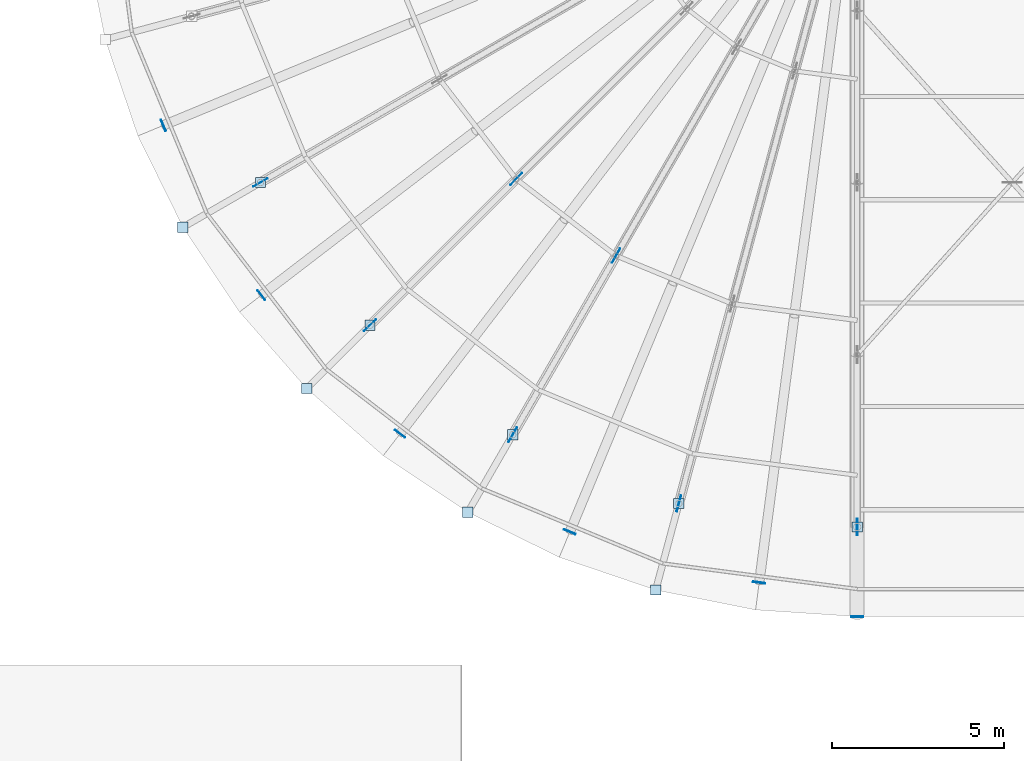
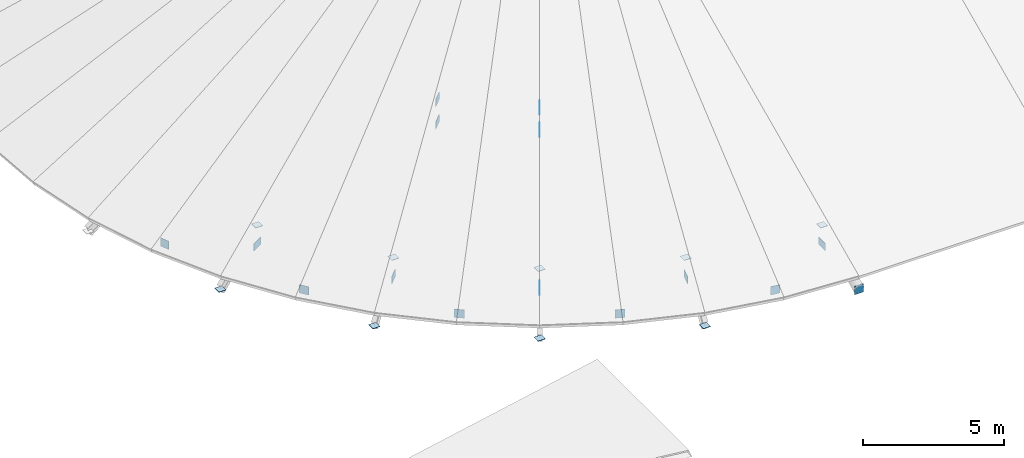
# One storey, part 85 of 107: 24 plates.
"""IFC4 building model written with IfcOpenShell, lengths in metres."""

from ifc_helpers import new_model, si_unit, derived_unit, direction, frame, origin, origin_2d, place, context, subcontext, project, spatial, rectangle, extrude, material, layer, layer_set, type_object, element, save


model = new_model("IFC4")

# Units and contexts
model_context = context("Model", 3, precision=1e-05, world=origin(), true_north=direction((0.0, 1.0)))
body_context = subcontext(model_context, "Body", "Model", "MODEL_VIEW")
ifc_project = project(units=[si_unit("LENGTHUNIT", "METRE"), si_unit("AREAUNIT", "SQUARE_METRE"), si_unit("VOLUMEUNIT", "CUBIC_METRE"), si_unit("PLANEANGLEUNIT", "RADIAN"), si_unit("MASSUNIT", "GRAM", prefix="KILO"), si_unit("THERMODYNAMICTEMPERATUREUNIT", "KELVIN"), si_unit("TIMEUNIT", "SECOND"), derived_unit("THERMALTRANSMITTANCEUNIT", [(si_unit("MASSUNIT", "GRAM", prefix="KILO"), 1), (si_unit("THERMODYNAMICTEMPERATUREUNIT", "KELVIN"), -1), (si_unit("TIMEUNIT", "SECOND"), -3)])], contexts=[model_context])

# Site, building, storey
site_placement = place(None, origin())
site = spatial("IfcSite", under=ifc_project, at=site_placement, CompositionType="ELEMENT")
building_placement = place(site_placement, origin())
building = spatial("IfcBuilding", under=site, at=building_placement, Name="Cambertide Market Hall", CompositionType="ELEMENT")
storey_placement = place(building_placement, frame((0.0, 0.0, 18.300048828125)))
storey = spatial("IfcBuildingStorey", under=building, at=storey_placement, Name="RF", CompositionType="ELEMENT", Elevation=18.300048828125)

# Plates
ifc_material_1 = material(Name="Steel S355", Category="steel")
ifc_layer_1 = layer(ifc_material_1, 0.013916015625, Name="Steel End Cap Plate EC-02")
ifc_layer_set_1 = layer_set([ifc_layer_1], Name="Steel S355")
plate_type_1 = type_object("IfcPlateType", Name="Steel End Cap Plate EC-02", PredefinedType="USERDEFINED", material=ifc_layer_set_1)
for number, where, z_axis, x_axis, name in (
    (1, (22.427734375, 60.699951171875, -10.7529296875), (0.0, 0.0, 1.0), (1.0, 0.0, 0.0), "EC-CONE-W-16"),
    (2, (26.019287109375, 56.019287109375, -10.7529296875), (0.0, 0.0, 1.0), (1.0, 0.0, 0.0), "EC-CONE-W-18"),
    (3, (30.699951171875, 52.427734375, -10.7529296875), (0.0, 0.0, 1.0), (1.0, 0.0, 0.0), "EC-CONE-W-20"),
    (4, (36.150634765625, 50.170166015625, -10.7529296875), (0.0, 0.0, 1.0), (1.0, 0.0, 0.0), "EC-CONE-W-22"),
    (5, (42.0, 52.0, -9.55712890625), (0.0, 0.0, 1.0), (1.0, 0.0, 0.0), "High-Bay Brace Connection End Cap Plate EC-BRN-009"),
    (6, (24.679443359375, 62.0, -9.55712890625), (0.0, 0.0, 1.0), (1.0, 0.0, 0.0), "High-Bay Brace Connection End Cap Plate EC-BRN-136"),
    (7, (27.85791015625, 57.85791015625, -9.55712890625), (0.0, 0.0, 1.0), (1.0, 0.0, 0.0), "High-Bay Brace Connection End Cap Plate EC-BRN-142"),
    (8, (32.0, 54.679443359375, -9.55712890625), (0.0, 0.0, 1.0), (1.0, 0.0, 0.0), "High-Bay Brace Connection End Cap Plate EC-BRN-148"),
    (9, (36.82373046875, 52.681396484375, -9.55712890625), (0.0, 0.0, 1.0), (1.0, 0.0, 0.0), "High-Bay Brace Connection End Cap Plate EC-BRN-154"),
):
    element("IfcPlate", number, at=place(storey_placement, frame(where, z_axis=z_axis, x_axis=x_axis)), inside=storey, type_object=plate_type_1, Name=name, ObjectType="END CAP PLATE", PredefinedType="USERDEFINED", context=body_context, shape_type="SweptSolid", body=[
        extrude(rectangle(XDim=0.300048828125, YDim=0.300048828125, at=origin_2d()), origin(), (0.0, 0.0, 1.0), 0.013916015625),
    ])
ifc_material_2 = material(Name="Steel S355", Category="steel")
ifc_layer_2 = layer(ifc_material_2, 0.02392578125, Name="Steel End Cap Plate EC-03E")
ifc_layer_set_2 = layer_set([ifc_layer_2], Name="Steel S355")
plate_type_2 = type_object("IfcPlateType", Name="Steel End Cap Plate EC-03E", PredefinedType="USERDEFINED", material=ifc_layer_set_2)
plate_placement = place(storey_placement, frame((42.0, 49.39990234375, -10.92626953125), z_axis=(0.0, 0.0, 1.0), x_axis=(1.0, 0.0, 0.0)))
element("IfcPlate", 10, at=plate_placement, inside=storey, type_object=plate_type_2, Name="Eave Overhang End Cap Plate 1-S", ObjectType="END CAP PLATE", PredefinedType="USERDEFINED", context=body_context, shape_type="SweptSolid", body=[
    extrude(rectangle(XDim=0.360107421875, YDim=0.02392578125, at=origin_2d()), origin(), (0.0, 0.0, 1.0), 0.360107421875),
])
for number, where, z_axis, x_axis, name in (
    (11, (21.859375, 63.657470703125, -10.55810546875), (0.0, 0.0, 1.0), (-0.923879532511, -0.382683432365, 0.0), "Eave Rafter End Cap Plate W-15"),
    (12, (24.704833984375, 58.72900390625, -10.55810546875), (0.0, 0.0, 1.0), (-0.793353340291, -0.608761429009, 0.0), "Eave Rafter End Cap Plate W-17"),
    (13, (28.72900390625, 54.704833984375, -10.55810546875), (0.0, 0.0, 1.0), (-0.608761429009, -0.793353340291, 0.0), "Eave Rafter End Cap Plate W-19"),
    (14, (33.657470703125, 51.859375, -10.55810546875), (0.0, 0.0, 1.0), (-0.382683432365, -0.923879532511, 0.0), "Eave Rafter End Cap Plate W-21"),
    (15, (39.154541015625, 50.386474609375, -10.55810546875), (0.0, 0.0, 1.0), (-0.13052619222, -0.991444861374, 0.0), "Eave Rafter End Cap Plate W-23"),
):
    element("IfcPlate", number, at=place(storey_placement, frame(where, z_axis=z_axis, x_axis=x_axis)), inside=storey, type_object=plate_type_2, Name=name, ObjectType="END CAP PLATE", PredefinedType="USERDEFINED", context=body_context, shape_type="SweptSolid", body=[
        extrude(rectangle(XDim=0.02392578125, YDim=0.360107421875, at=origin_2d()), origin(), (0.0, 0.0, 1.0), 0.360107421875),
    ])
ifc_material_3 = material(Name="Steel S355", Category="steel")
ifc_layer_3 = layer(ifc_material_3, 0.01806640625, Name="Steel Gusset Plate GP-02")
ifc_layer_set_3 = layer_set([ifc_layer_3], Name="Steel S355")
plate_type_3 = type_object("IfcPlateType", Name="Steel Gusset Plate GP-02", PredefinedType="USERDEFINED", material=ifc_layer_set_3)
for number, where, z_axis, x_axis, name in (
    (16, (42.0, 52.0, -10.5400390625), (0.0, 0.0, 1.0), (0.0, 1.0, 0.0), "High-Bay Brace Connection Gusset Plate GP-BRN-001"),
    (17, (24.679443359375, 62.0, -10.5400390625), (0.0, 0.0, 1.0), (0.866025403784, 0.5, 0.0), "High-Bay Brace Connection Gusset Plate GP-BRN-134"),
    (18, (32.1005859375, 62.1005859375, -7.916015625), (0.0, 0.0, 1.0), (0.707106781187, 0.707106781187, 0.0), "High-Bay Brace Connection Gusset Plate GP-BRN-138"),
    (19, (27.85791015625, 57.85791015625, -10.5400390625), (0.0, 0.0, 1.0), (0.707106781187, 0.707106781187, 0.0), "High-Bay Brace Connection Gusset Plate GP-BRN-140"),
    (20, (32.1005859375, 62.1005859375, -6.9501953125), (0.0, 0.0, 1.0), (0.707106781187, 0.707106781187, 0.0), "High-Bay Brace Connection Gusset Plate GP-BRN-141"),
    (21, (35.0, 59.875732421875, -7.916015625), (0.0, 0.0, 1.0), (0.5, 0.866025403784, 0.0), "High-Bay Brace Connection Gusset Plate GP-BRN-144"),
    (22, (32.0, 54.679443359375, -10.5400390625), (0.0, 0.0, 1.0), (0.5, 0.866025403784, 0.0), "High-Bay Brace Connection Gusset Plate GP-BRN-146"),
    (23, (35.0, 59.875732421875, -6.9501953125), (0.0, 0.0, 1.0), (0.5, 0.866025403784, 0.0), "High-Bay Brace Connection Gusset Plate GP-BRN-147"),
    (24, (36.82373046875, 52.681396484375, -10.5400390625), (0.0, 0.0, 1.0), (0.258819045103, 0.965925826289, 0.0), "High-Bay Brace Connection Gusset Plate GP-BRN-152"),
):
    element("IfcPlate", number, at=place(storey_placement, frame(where, z_axis=z_axis, x_axis=x_axis)), inside=storey, type_object=plate_type_3, Name=name, ObjectType="GUSSET PLATE", PredefinedType="USERDEFINED", context=body_context, shape_type="SweptSolid", body=[
        extrude(rectangle(XDim=0.47998046875, YDim=0.01806640625, at=origin_2d()), origin(), (0.0, 0.0, 1.0), 0.320068359375),
    ])

save(model, "model.ifc")
